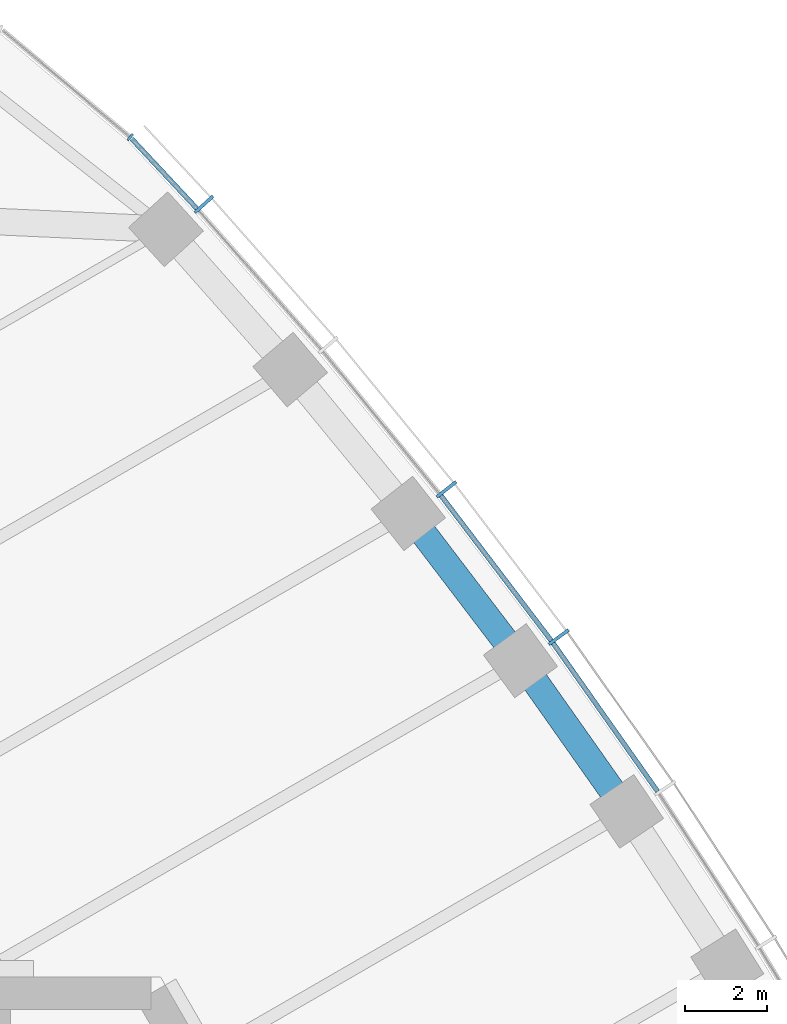
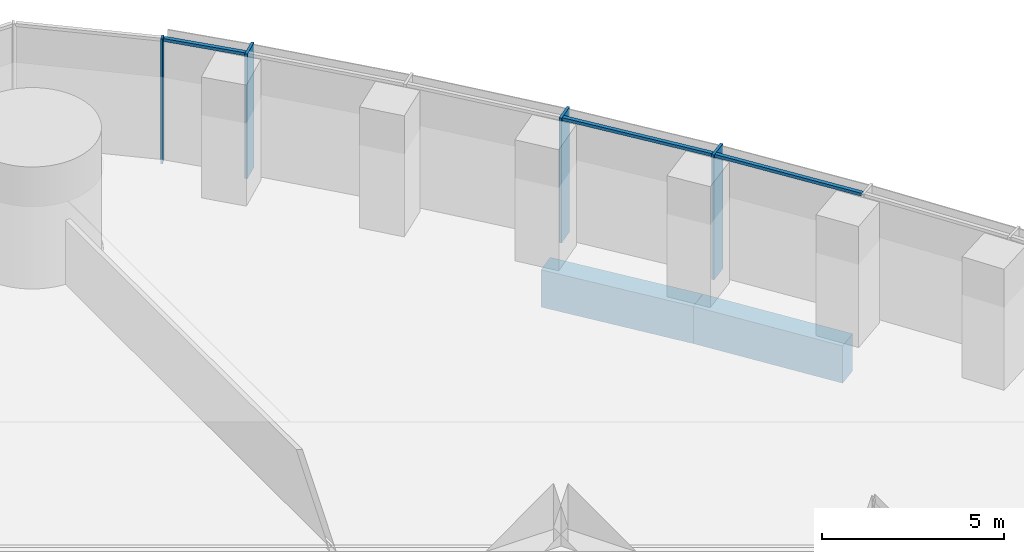
# One storey, part 7 of 19: 7 members, 2 beams, 2 elements without a shape of their own.
"""IFC4 building model written with IfcOpenShell, lengths in metres."""

from ifc_helpers import new_model, si_unit, direction, frame, origin, origin_2d, place, context, subcontext, project, spatial, rectangle, extrude, material, material_profile, profile_set, type_object, element, aggregate, save


model = new_model("IFC4")

# Units and contexts
model_context = context("Model", 3, precision=1e-05, world=origin(), true_north=direction((0.0, 1.0)))
body_context = subcontext(model_context, "Body", "Model", "MODEL_VIEW")
ifc_project = project(units=[si_unit("LENGTHUNIT", "METRE"), si_unit("AREAUNIT", "SQUARE_METRE"), si_unit("VOLUMEUNIT", "CUBIC_METRE"), si_unit("PLANEANGLEUNIT", "RADIAN"), si_unit("MASSUNIT", "GRAM", prefix="KILO")], contexts=[model_context])

# Site, building, storey
site_placement = place(None, origin())
site = spatial("IfcSite", under=ifc_project, at=site_placement, CompositionType="ELEMENT")
building_placement = place(site_placement, origin())
building = spatial("IfcBuilding", under=site, at=building_placement, Name="Trefoil Bronze Tower", CompositionType="ELEMENT")
storey_placement = place(building_placement, frame((0.0, 0.0, 124.10009765625)))
storey = spatial("IfcBuildingStorey", under=building, at=storey_placement, Name="L28", CompositionType="ELEMENT", Elevation=124.10009765625)

# Curtain wall, members
ifc_material_1 = material(Name="Tinted solar-control glass", Category="glass")
curtain_wall_type_1 = type_object("IfcCurtainWallType", Name="Bronze office curtain wall", PredefinedType="USERDEFINED", material=ifc_material_1)
curtain_wall_1_placement = place(storey_placement, origin())
curtain_wall_1 = element("IfcCurtainWall", 1, at=curtain_wall_1_placement, inside=storey, type_object=curtain_wall_type_1, Name="CW-A L28 F2", ObjectType="CURTAIN WALL", PredefinedType="USERDEFINED")
ifc_material_2 = material(Name="Bronze-finish aluminium", Category="aluminium")
ifc_material_profile_1 = material_profile(ifc_material_2, rectangle(XDim=0.60009765625, YDim=0.080078125, at=origin_2d()), Name="CW-A mullion")
ifc_profile_set_1 = profile_set([ifc_material_profile_1], Name="Bronze-finish aluminium")
member_type_1 = type_object("IfcMemberType", Name="Bronze office curtain wall mullion", PredefinedType="MULLION", material=ifc_profile_set_1)
member_1_placement = place(storey_placement, frame((15.764404296875, 24.7275390625, 0.0), z_axis=(0.0, 0.0, 1.0), x_axis=(-0.806874522901, -0.590722865897, 0.0)))
member_1 = element("IfcMember", 2, at=member_1_placement, type_object=member_type_1, Name="CW-A L28 F2 mullion 11", PredefinedType="MULLION", context=body_context, shape_type="SweptSolid", body=[
    extrude(rectangle(XDim=0.60009765625, YDim=0.080078125, at=origin_2d()), origin(), (0.0, 0.0, 1.0), 4.179931640625),
])
member_2_placement = place(storey_placement, frame((13.01220703125, 28.34716796875, 0.0), z_axis=(0.0, 0.0, 1.0), x_axis=(-0.78487913905, -0.619648882098, 0.0)))
member_2 = element("IfcMember", 3, at=member_2_placement, type_object=member_type_1, Name="CW-A L28 F2 mullion 12", PredefinedType="MULLION", context=body_context, shape_type="SweptSolid", body=[
    extrude(rectangle(XDim=0.60009765625, YDim=0.080078125, at=origin_2d()), origin(), (0.0, 0.0, 1.0), 4.179931640625),
])
member_3_placement = place(storey_placement, frame((7.070068359375, 35.332275390625, 0.0), z_axis=(0.0, 0.0, 1.0), x_axis=(-0.740360700327, -0.672209813534, 0.0)))
member_3 = element("IfcMember", 4, at=member_3_placement, type_object=member_type_1, Name="CW-A L28 F2 mullion 14", PredefinedType="MULLION", context=body_context, shape_type="SweptSolid", body=[
    extrude(rectangle(XDim=0.60009765625, YDim=0.080078125, at=origin_2d()), origin(), (0.0, 0.0, 1.0), 4.179931640625),
])
ifc_material_3 = material(Name="Bronze-finish aluminium", Category="aluminium")
ifc_material_profile_2 = material_profile(ifc_material_3, rectangle(XDim=0.1201171875, YDim=0.10009765625, at=origin_2d()), Name="CW-A transom")
ifc_profile_set_2 = profile_set([ifc_material_profile_2], Name="Bronze-finish aluminium")
member_type_2 = type_object("IfcMemberType", Name="Bronze office curtain wall transom", PredefinedType="USERDEFINED", material=ifc_profile_set_2)
member_4_placement = place(storey_placement, frame((18.18359375, 20.947021484375, 4.1298828125), z_axis=(-0.576017858824, 0.817437108478, 0.0), x_axis=(-0.817437108478, -0.576017858824, 0.0)))
member_4 = element("IfcMember", 5, at=member_4_placement, type_object=member_type_2, Name="CW-A L28 F2 transom 10", ObjectType="TRANSOM", PredefinedType="USERDEFINED", context=body_context, shape_type="SweptSolid", body=[
    extrude(rectangle(XDim=0.1201171875, YDim=0.10009765625, at=origin_2d()), origin(), (0.0, 0.0, 1.0), 4.4384765625),
])
member_5_placement = place(storey_placement, frame((15.57763671875, 24.642578125, 4.1298828125), z_axis=(-0.605229114572, 0.796051329296, 0.0), x_axis=(-0.796051329296, -0.605229114572, 0.0)))
member_5 = element("IfcMember", 6, at=member_5_placement, type_object=member_type_2, Name="CW-A L28 F2 transom 11", ObjectType="TRANSOM", PredefinedType="USERDEFINED", context=body_context, shape_type="SweptSolid", body=[
    extrude(rectangle(XDim=0.1201171875, YDim=0.10009765625, at=origin_2d()), origin(), (0.0, 0.0, 1.0), 4.456298828125),
])
member_6_placement = place(storey_placement, frame((6.893798828125, 35.22802734375, 4.1298828125), z_axis=(-0.682489214428, 0.730895664366, 0.0), x_axis=(-0.730895664366, -0.682489214428, 0.0)))
member_6 = element("IfcMember", 7, at=member_6_placement, type_object=member_type_2, Name="CW-A L28 F2 transom 14", ObjectType="TRANSOM", PredefinedType="USERDEFINED", context=body_context, shape_type="SweptSolid", body=[
    extrude(rectangle(XDim=0.1201171875, YDim=0.10009765625, at=origin_2d()), origin(), (0.0, 0.0, 1.0), 2.340087890625),
])
aggregate(curtain_wall_1, [member_1, member_2, member_3, member_4, member_5, member_6])

# Curtain wall, member
ifc_material_4 = material(Name="Tinted solar-control glass", Category="glass")
curtain_wall_type_2 = type_object("IfcCurtainWallType", Name="Bronze rounded corner curtain wall", PredefinedType="USERDEFINED", material=ifc_material_4)
curtain_wall_2_placement = place(storey_placement, origin())
curtain_wall_2 = element("IfcCurtainWall", 8, at=curtain_wall_2_placement, inside=storey, type_object=curtain_wall_type_2, Name="CW-B L28 K2", ObjectType="CURTAIN WALL", PredefinedType="USERDEFINED")
ifc_material_5 = material(Name="Bronze-finish aluminium", Category="aluminium")
ifc_material_profile_3 = material_profile(ifc_material_5, rectangle(XDim=0.199951171875, YDim=0.06005859375, at=origin_2d()), Name="CW-B mullion")
ifc_profile_set_3 = profile_set([ifc_material_profile_3], Name="Bronze-finish aluminium")
member_type_3 = type_object("IfcMemberType", Name="Bronze rounded corner curtain wall mullion", PredefinedType="MULLION", material=ifc_profile_set_3)
member_7_placement = place(storey_placement, frame((5.260498046875, 36.975830078125, 0.0), z_axis=(0.0, 0.0, 1.0), x_axis=(-0.642787609687, -0.766044443119, 0.0)))
member_7 = element("IfcMember", 9, at=member_7_placement, type_object=member_type_3, Name="CW-B L28 K2 mullion 1", PredefinedType="MULLION", context=body_context, shape_type="SweptSolid", body=[
    extrude(rectangle(XDim=0.199951171875, YDim=0.06005859375, at=origin_2d()), origin(), (0.0, 0.0, 1.0), 4.179931640625),
])
aggregate(curtain_wall_2, [member_7])

# Beams
ifc_material_6 = material(Name="Concrete B80", Category="concrete")
ifc_material_profile_4 = material_profile(ifc_material_6, rectangle(XDim=0.64990234375, YDim=1.25, at=origin_2d()), Name="RC 650x1250")
ifc_profile_set_4 = profile_set([ifc_material_profile_4], Name="Concrete B80")
beam_type = type_object("IfcBeamType", Name="Spandrel beam RC 650x1250", PredefinedType="SPANDREL", material=ifc_profile_set_4)
beam_1_placement = place(storey_placement, frame((17.43017578125, 20.45556640625, -0.8251953125), z_axis=(-0.576439228712, 0.81714002203, 0.0), x_axis=(-0.81714002203, -0.576439228712, 0.0)))
element("IfcBeam", 10, at=beam_1_placement, inside=storey, type_object=beam_type, Name="Spandrel F2.10 L28", PredefinedType="SPANDREL", context=body_context, shape_type="SweptSolid", body=[
    extrude(rectangle(XDim=0.64990234375, YDim=1.25, at=origin_2d()), origin(), (0.0, 0.0, 1.0), 4.5185546875),
])
beam_2_placement = place(storey_placement, frame((14.825439453125, 24.14794921875, -0.8251953125), z_axis=(-0.605898901788, 0.795541652468, 0.0), x_axis=(-0.795541652468, -0.605898901788, 0.0)))
element("IfcBeam", 11, at=beam_2_placement, inside=storey, type_object=beam_type, Name="Spandrel F2.11 L28", PredefinedType="SPANDREL", context=body_context, shape_type="SweptSolid", body=[
    extrude(rectangle(XDim=0.64990234375, YDim=1.25, at=origin_2d()), origin(), (0.0, 0.0, 1.0), 4.53662109375),
])

save(model, "model.ifc")
